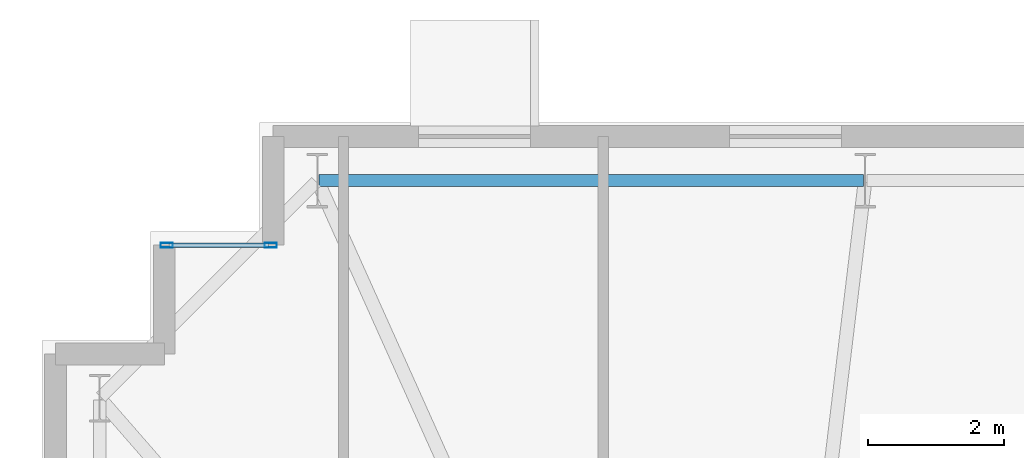
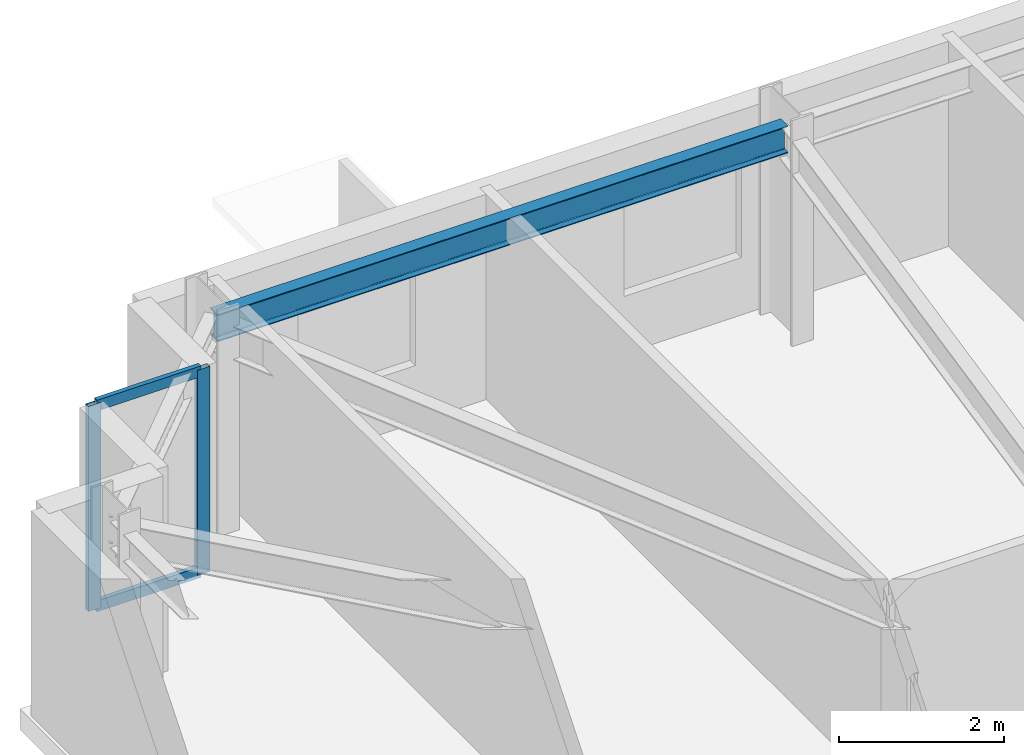
# One storey, part 7 of 17: 4 members, 1 beam, 1 element without a shape of its own.
"""IFC4 building model written with IfcOpenShell, lengths in metres."""

from ifc_helpers import new_model, si_unit, direction, frame, origin, origin_2d, place, context, subcontext, project, spatial, hollow_rectangle, i_section, extrude, material, layer, layer_set, material_profile, profile_set, type_object, element, aggregate, save


model = new_model("IFC4")

# Units and contexts
model_context = context("Model", 3, precision=1e-05, world=origin(), true_north=direction((0.0, 1.0)))
body_context = subcontext(model_context, "Body", "Model", "MODEL_VIEW")
ifc_project = project(units=[si_unit("LENGTHUNIT", "METRE"), si_unit("AREAUNIT", "SQUARE_METRE"), si_unit("VOLUMEUNIT", "CUBIC_METRE"), si_unit("PLANEANGLEUNIT", "RADIAN"), si_unit("MASSUNIT", "GRAM", prefix="KILO")], contexts=[model_context])

# Site, building, storey
site_placement = place(None, origin())
site = spatial("IfcSite", under=ifc_project, at=site_placement, CompositionType="ELEMENT")
building_placement = place(site_placement, origin())
building = spatial("IfcBuilding", under=site, at=building_placement, Name="Qobustan Lattice House", CompositionType="ELEMENT")
storey_placement = place(building_placement, frame((0.0, 0.0, 161.14990234375)))
storey = spatial("IfcBuildingStorey", under=building, at=storey_placement, Name="L45", CompositionType="ELEMENT", Elevation=161.14990234375)

# Beam
ifc_material_1 = material(Name="Steel S355", Category="steel")
ifc_material_profile_1 = material_profile(ifc_material_1, i_section(OverallWidth=0.179931640625, OverallDepth=0.39990234375, WebThickness=0.008544921875, FlangeThickness=0.013427734375, FilletRadius=0.02099609375, at=origin_2d()), Name="IPE400")
ifc_profile_set_1 = profile_set([ifc_material_profile_1], Name="Steel S355")
beam_type = type_object("IfcBeamType", Name="BM-SPD-IPE400", PredefinedType="SPANDREL", material=ifc_profile_set_1)
beam_placement = place(storey_placement, frame((-17.125, 19.75, 2.840087890625), z_axis=(-1.0, 0.0, 0.0), x_axis=(0.0, -1.0, 0.0)))
element("IfcBeam", 1, at=beam_placement, inside=storey, type_object=beam_type, Name="L45 perimeter spandrel N6-N7", PredefinedType="SPANDREL", context=body_context, shape_type="SweptSolid", body=[
    extrude(i_section(OverallWidth=0.179931640625, OverallDepth=0.39990234375, WebThickness=0.008544921875, FlangeThickness=0.013427734375, FilletRadius=0.02099609375, at=origin_2d()), origin(), (0.0, 0.0, 1.0), 8.0),
])

# Curtain wall, members
ifc_material_2 = material(Name="Anodised aluminium and low-E glazing", Category="aluminium")
ifc_layer = layer(ifc_material_2, 0.219970703125)
ifc_layer_set = layer_set([ifc_layer], Name="Anodised aluminium and low-E glazing")
curtain_wall_type = type_object("IfcCurtainWallType", Name="CW-FAC-02", PredefinedType="USERDEFINED", material=ifc_layer_set)
curtain_wall_placement = place(storey_placement, origin())
curtain_wall = element("IfcCurtainWall", 2, at=curtain_wall_placement, inside=storey, type_object=curtain_wall_type, Name="L45 serrated corner faceted glazing 8", ObjectType="CURTAIN WALL", PredefinedType="USERDEFINED")
ifc_material_3 = material(Name="Anodised aluminium EN AW-6063 T6", Category="aluminium")
ifc_material_profile_2 = material_profile(ifc_material_3, hollow_rectangle(XDim=0.070068359375, YDim=0.179931640625, WallThickness=0.00439453125, at=origin_2d()), Name="CWM-180x70")
ifc_profile_set_2 = profile_set([ifc_material_profile_2], Name="Anodised aluminium EN AW-6063 T6")
member_type_1 = type_object("IfcMemberType", Name="CWM-STD-180", PredefinedType="MULLION", material=ifc_profile_set_2)
member_1_placement = place(storey_placement, frame((-27.364990234375, 18.800048828125, 0.0), z_axis=(0.0, 0.0, 1.0), x_axis=(0.0, 1.0, 0.0)))
member_1 = element("IfcMember", 3, at=member_1_placement, type_object=member_type_1, Name="CW-F2 mullion 1", PredefinedType="MULLION", context=body_context, shape_type="SweptSolid", body=[
    extrude(hollow_rectangle(XDim=0.070068359375, YDim=0.179931640625, WallThickness=0.00439453125, at=origin_2d()), origin(), (0.0, 0.0, 1.0), 3.0400390625),
])
member_2_placement = place(storey_placement, frame((-25.8349609375, 18.800048828125, 0.0), z_axis=(0.0, 0.0, 1.0), x_axis=(0.0, 1.0, 0.0)))
member_2 = element("IfcMember", 4, at=member_2_placement, type_object=member_type_1, Name="CW-F2 mullion 2", PredefinedType="MULLION", context=body_context, shape_type="SweptSolid", body=[
    extrude(hollow_rectangle(XDim=0.070068359375, YDim=0.179931640625, WallThickness=0.00439453125, at=origin_2d()), origin(), (0.0, 0.0, 1.0), 3.0400390625),
])
ifc_material_4 = material(Name="Anodised aluminium EN AW-6063 T6", Category="aluminium")
ifc_material_profile_3 = material_profile(ifc_material_4, hollow_rectangle(XDim=0.06494140625, YDim=0.159912109375, WallThickness=0.00390625, at=origin_2d()), Name="CWT-160x65")
ifc_profile_set_3 = profile_set([ifc_material_profile_3], Name="Anodised aluminium EN AW-6063 T6")
member_type_2 = type_object("IfcMemberType", Name="CWT-HOR-160", PredefinedType="USERDEFINED", material=ifc_profile_set_3)
member_3_placement = place(storey_placement, frame((-27.330078125, 18.800048828125, 0.03271484375), z_axis=(1.0, 0.0, 0.0), x_axis=(0.0, 1.0, 0.0)))
member_3 = element("IfcMember", 5, at=member_3_placement, type_object=member_type_2, Name="CW-F2 transom 1.1", ObjectType="TRANSOM", PredefinedType="USERDEFINED", context=body_context, shape_type="SweptSolid", body=[
    extrude(hollow_rectangle(XDim=0.06494140625, YDim=0.159912109375, WallThickness=0.00390625, at=origin_2d()), origin(), (0.0, 0.0, 1.0), 1.4599609375),
])
member_4_placement = place(storey_placement, frame((-27.330078125, 18.800048828125, 3.007568359375), z_axis=(1.0, 0.0, 0.0), x_axis=(0.0, 1.0, 0.0)))
member_4 = element("IfcMember", 6, at=member_4_placement, type_object=member_type_2, Name="CW-F2 transom 1.2", ObjectType="TRANSOM", PredefinedType="USERDEFINED", context=body_context, shape_type="SweptSolid", body=[
    extrude(hollow_rectangle(XDim=0.06494140625, YDim=0.159912109375, WallThickness=0.00390625, at=origin_2d()), origin(), (0.0, 0.0, 1.0), 1.4599609375),
])
aggregate(curtain_wall, [member_1, member_2, member_3, member_4])

save(model, "model.ifc")
